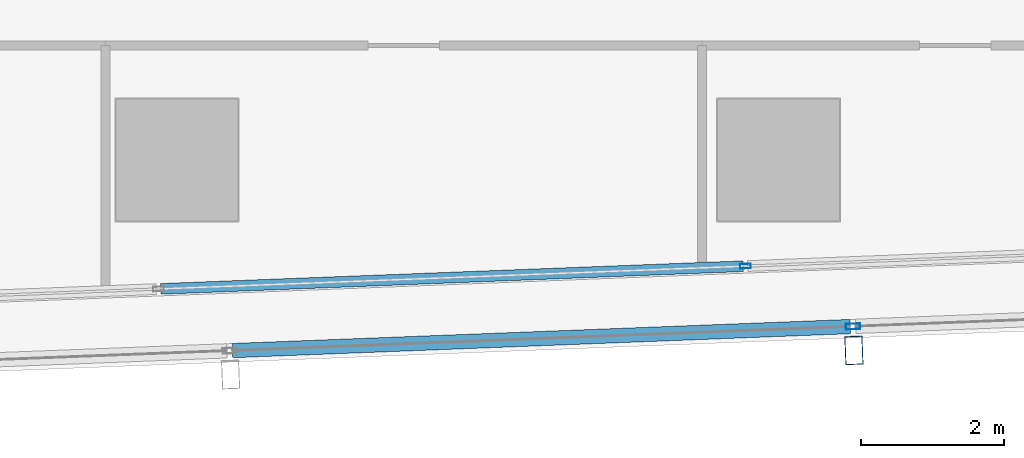
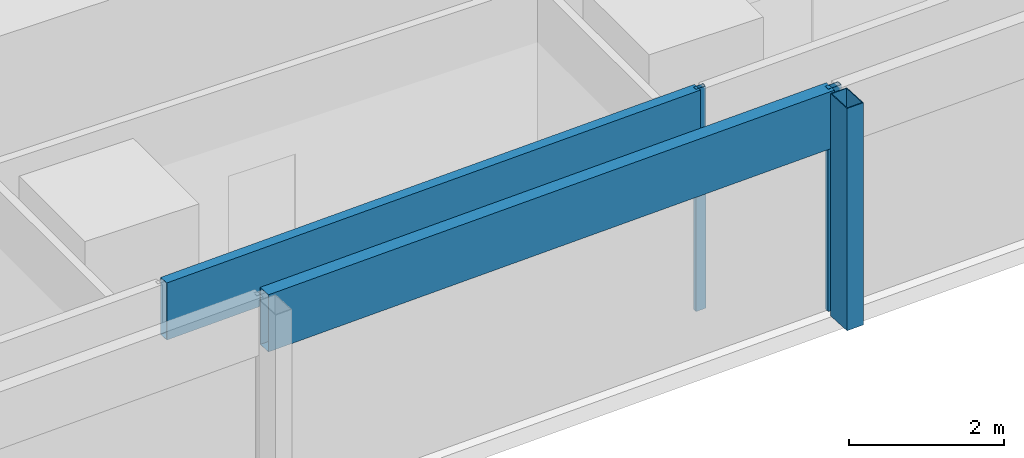
# One storey, part 10 of 40: 5 members, 2 elements without a shape of their own.
"""IFC4 building model written with IfcOpenShell, lengths in metres."""

from ifc_helpers import new_model, si_unit, direction, frame, origin, origin_2d, place, context, subcontext, project, spatial, hollow_rectangle, extrude, material, material_profile, profile_set, type_object, element, aggregate, save


model = new_model("IFC4")

# Units and contexts
model_context = context("Model", 3, precision=1e-05, world=origin(), true_north=direction((0.0, 1.0)))
body_context = subcontext(model_context, "Body", "Model", "MODEL_VIEW")
ifc_project = project(units=[si_unit("LENGTHUNIT", "METRE"), si_unit("AREAUNIT", "SQUARE_METRE"), si_unit("VOLUMEUNIT", "CUBIC_METRE"), si_unit("PLANEANGLEUNIT", "RADIAN"), si_unit("MASSUNIT", "GRAM", prefix="KILO")], contexts=[model_context])

# Site, building, storey
site_placement = place(None, origin())
site = spatial("IfcSite", under=ifc_project, at=site_placement, CompositionType="ELEMENT")
building_placement = place(site_placement, origin())
building = spatial("IfcBuilding", under=site, at=building_placement, Name="Rekha Terrace Tower", CompositionType="ELEMENT")
storey_placement = place(building_placement, frame((0.0, 0.0, 121.550048828125)))
storey = spatial("IfcBuildingStorey", under=building, at=storey_placement, Name="L30", CompositionType="ELEMENT", Elevation=121.550048828125)

# Curtain wall, member
ifc_material_1 = material(Name="Aluminium framing", Category="aluminium")
curtain_wall_type_1 = type_object("IfcCurtainWallType", Name="CW2 double skin outer glazing", PredefinedType="USERDEFINED", material=ifc_material_1)
curtain_wall_1_placement = place(storey_placement, origin())
curtain_wall_1 = element("IfcCurtainWall", 1, at=curtain_wall_1_placement, inside=storey, type_object=curtain_wall_type_1, Name="CW2 double skin outer glazing", ObjectType="DOUBLE SKIN OUTER GLAZING", PredefinedType="USERDEFINED")
ifc_material_2 = material(Name="Steel S355 with fluorocarbon finish", Category="steel")
ifc_material_profile_1 = material_profile(ifc_material_2, hollow_rectangle(XDim=0.25, YDim=0.39990234375, WallThickness=0.012451171875, at=origin_2d()), Name="RHS400x250x12.5")
ifc_profile_set_1 = profile_set([ifc_material_profile_1], Name="Steel S355 with fluorocarbon finish")
member_type_1 = type_object("IfcMemberType", Name="BL1 facade blade RHS 400 x 250", PredefinedType="USERDEFINED", material=ifc_profile_set_1)
member_1_placement = place(storey_placement, frame((51.4521484375, 14.141845703125, 0.0), z_axis=(0.0, 0.0, 1.0), x_axis=(0.999243494356, 0.038890088543, 0.0)))
member_1 = element("IfcMember", 2, at=member_1_placement, type_object=member_type_1, Name="Facade blade", ObjectType="FACADE BLADE", PredefinedType="USERDEFINED", context=body_context, shape_type="SweptSolid", body=[
    extrude(hollow_rectangle(XDim=0.25, YDim=0.39990234375, WallThickness=0.012451171875, at=origin_2d()), origin(), (0.0, 0.0, 1.0), 3.5),
])

# Curtain wall, members
curtain_wall_type_2 = type_object("IfcCurtainWallType", Name="CW1 double skin inner glazing", PredefinedType="USERDEFINED", material=ifc_material_1)
curtain_wall_2_placement = place(storey_placement, origin())
curtain_wall_2 = element("IfcCurtainWall", 3, at=curtain_wall_2_placement, inside=storey, type_object=curtain_wall_type_2, Name="CW1 double skin inner glazing", ObjectType="DOUBLE SKIN INNER GLAZING", PredefinedType="USERDEFINED")
ifc_material_3 = material(Name="Aluminium mullion section", Category="aluminium")
ifc_material_profile_2 = material_profile(ifc_material_3, hollow_rectangle(XDim=0.06494140625, YDim=0.14990234375, WallThickness=0.00390625, at=origin_2d()), Name="AL RHS 65x150")
ifc_profile_set_2 = profile_set([ifc_material_profile_2], Name="Aluminium mullion section")
member_type_2 = type_object("IfcMemberType", Name="CW1 mullion RHS 65 x 150", PredefinedType="MULLION", material=ifc_profile_set_2)
member_2_placement = place(storey_placement, frame((49.936767578125, 15.31884765625, 0.0), z_axis=(0.0, 0.0, 1.0), x_axis=(-0.038889971345, 0.999243498917, 0.0)))
member_2 = element("IfcMember", 4, at=member_2_placement, type_object=member_type_2, Name="CW1 mullion 4", PredefinedType="MULLION", context=body_context, shape_type="SweptSolid", body=[
    extrude(hollow_rectangle(XDim=0.06494140625, YDim=0.14990234375, WallThickness=0.00390625, at=origin_2d()), origin(), (0.0, 0.0, 1.0), 3.5),
])
ifc_material_4 = material(Name="Insulated aluminium spandrel box", Category="aluminium")
ifc_material_profile_3 = material_profile(ifc_material_4, hollow_rectangle(XDim=0.14990234375, YDim=0.89990234375, WallThickness=0.0029296875, at=origin_2d()), Name="AL SPANDREL BOX 150x900")
ifc_profile_set_3 = profile_set([ifc_material_profile_3], Name="Insulated aluminium spandrel box")
member_type_3 = type_object("IfcMemberType", Name="CW1 spandrel transom 150 x 900", PredefinedType="USERDEFINED", material=ifc_profile_set_3)
member_3_placement = place(storey_placement, frame((41.772705078125, 15.001220703125, 3.050048828125), z_axis=(0.999243835719, 0.038881316573, 0.0), x_axis=(-0.038881316573, 0.999243835719, 0.0)))
member_3 = element("IfcMember", 5, at=member_3_placement, type_object=member_type_3, Name="CW1 spandrel transom 3", ObjectType="TRANSOM", PredefinedType="USERDEFINED", context=body_context, shape_type="SweptSolid", body=[
    extrude(hollow_rectangle(XDim=0.14990234375, YDim=0.89990234375, WallThickness=0.0029296875, at=origin_2d()), origin(), (0.0, 0.0, 1.0), 8.1376953125),
])
aggregate(curtain_wall_2, [member_2, member_3])

# Member
ifc_material_profile_4 = material_profile(ifc_material_3, hollow_rectangle(XDim=0.080078125, YDim=0.199951171875, WallThickness=0.00390625, at=origin_2d()), Name="AL RHS 80x200")
ifc_profile_set_4 = profile_set([ifc_material_profile_4], Name="Aluminium mullion section")
member_type_4 = type_object("IfcMemberType", Name="CW2 mullion RHS 80 x 200", PredefinedType="MULLION", material=ifc_profile_set_4)
member_4_placement = place(storey_placement, frame((51.439208984375, 14.4765625, 0.0), z_axis=(0.0, 0.0, 1.0), x_axis=(-0.038889971345, 0.999243498917, 0.0)))
member_4 = element("IfcMember", 6, at=member_4_placement, type_object=member_type_4, Name="CW2 mullion 4", PredefinedType="MULLION", context=body_context, shape_type="SweptSolid", body=[
    extrude(hollow_rectangle(XDim=0.080078125, YDim=0.199951171875, WallThickness=0.00390625, at=origin_2d()), origin(), (0.0, 0.0, 1.0), 3.5),
])

ifc_material_profile_5 = material_profile(ifc_material_4, hollow_rectangle(XDim=0.199951171875, YDim=0.89990234375, WallThickness=0.0029296875, at=origin_2d()), Name="AL SPANDREL BOX 200x900")
ifc_profile_set_5 = profile_set([ifc_material_profile_5], Name="Insulated aluminium spandrel box")
member_type_5 = type_object("IfcMemberType", Name="CW2 spandrel transom 200 x 900", PredefinedType="USERDEFINED", material=ifc_profile_set_5)
member_5_placement = place(storey_placement, frame((42.774169921875, 14.139404296875, 3.050048828125), z_axis=(0.999243438523, 0.038891523097, 0.0), x_axis=(-0.038891523097, 0.999243438523, 0.0)))
member_5 = element("IfcMember", 7, at=member_5_placement, type_object=member_type_5, Name="CW2 spandrel transom 3", ObjectType="TRANSOM", PredefinedType="USERDEFINED", context=body_context, shape_type="SweptSolid", body=[
    extrude(hollow_rectangle(XDim=0.199951171875, YDim=0.89990234375, WallThickness=0.0029296875, at=origin_2d()), origin(), (0.0, 0.0, 1.0), 8.631591796875),
])

aggregate(curtain_wall_1, [member_4, member_5, member_1])

save(model, "model.ifc")
